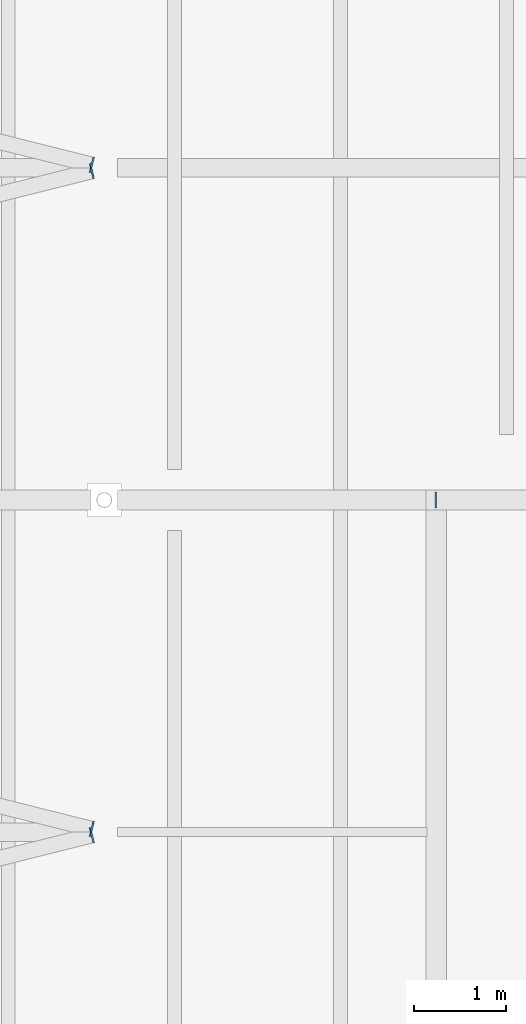
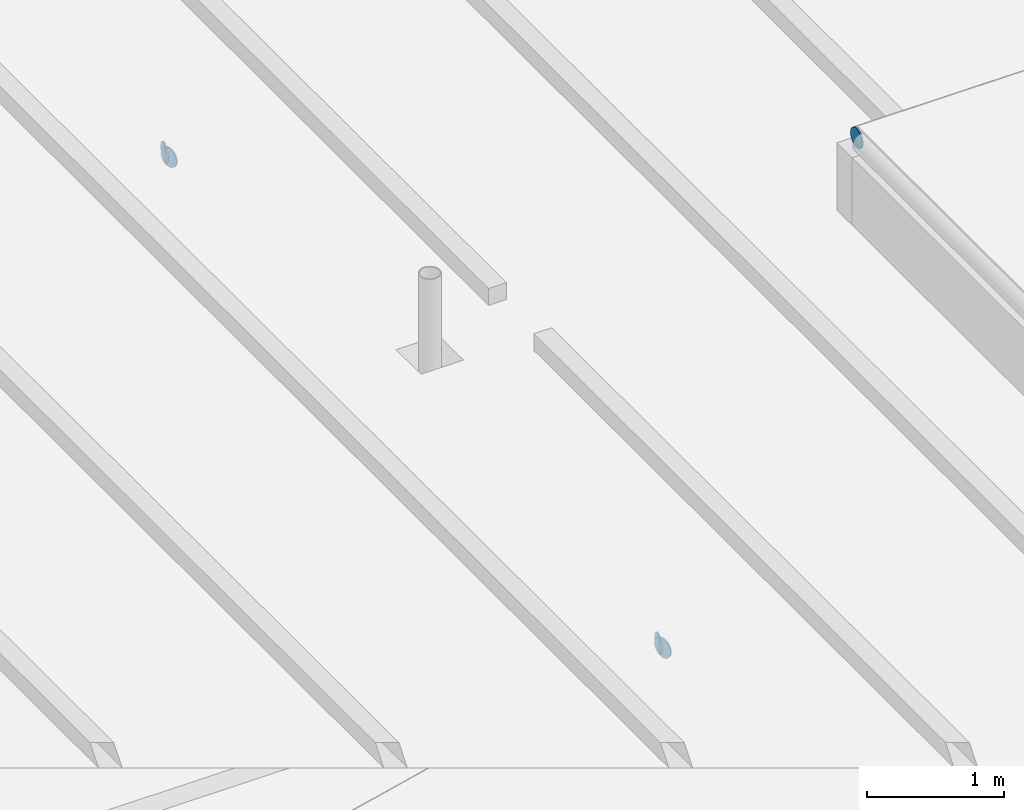
# One storey, part 76 of 120: 5 discrete accessories.
"""IFC4 building model written with IfcOpenShell, lengths in metres."""

from ifc_helpers import new_model, si_unit, direction, frame, origin, origin_2d, place, context, subcontext, project, spatial, circle, extrude, material, layer, layer_set, type_object, element, save


model = new_model("IFC4")

# Units and contexts
model_context = context("Model", 3, precision=1e-05, world=origin(), true_north=direction((0.0, 1.0)))
body_context = subcontext(model_context, "Body", "Model", "MODEL_VIEW")
ifc_project = project(units=[si_unit("LENGTHUNIT", "METRE"), si_unit("AREAUNIT", "SQUARE_METRE"), si_unit("VOLUMEUNIT", "CUBIC_METRE"), si_unit("PLANEANGLEUNIT", "RADIAN"), si_unit("MASSUNIT", "GRAM", prefix="KILO")], contexts=[model_context])

# Site, building, storey
site_placement = place(None, origin())
site = spatial("IfcSite", under=ifc_project, at=site_placement, CompositionType="ELEMENT")
building_placement = place(site_placement, origin())
building = spatial("IfcBuilding", under=site, at=building_placement, Name="Kupolbacken Congress Centre", CompositionType="ELEMENT")
storey_placement = place(building_placement, frame((0.0, 0.0, 21.60009765625)))
storey = spatial("IfcBuildingStorey", under=building, at=storey_placement, Name="L06", CompositionType="ELEMENT", Elevation=21.60009765625)

# Discrete accessories
ifc_material = material(Name="Steel S355", Category="steel")
ifc_layer = layer(ifc_material, 0.011962890625)
ifc_layer_set = layer_set([ifc_layer], Name="Steel S355")
discrete_accessory_type = type_object("IfcDiscreteAccessoryType", Name="EC2 tube end cap plate 168 dia x 12", PredefinedType="BRACKET", material=ifc_layer_set)
for number, where, z_axis, x_axis, name in (
    (1, (136.6591796875, 57.564697265625, -0.084228515625), (0.970142500145, 0.242535625036, 0.0), (-0.242535625036, 0.970142500145, 0.0), "End cap plate HR/RB/03-03 B"),
    (2, (136.6591796875, 57.63525390625, -0.084228515625), (0.970142500145, -0.242535625036, 0.0), (0.242535625036, 0.970142500145, 0.0), "End cap plate HR/RB/03-04 A"),
    (3, (136.6591796875, 64.764892578125, -0.084228515625), (0.974732318528, 0.223376156329, 0.0), (-0.223376156329, 0.974732318528, 0.0), "End cap plate HR/RB/03-05 B"),
    (4, (136.6591796875, 64.835205078125, -0.084228515625), (0.970142500145, -0.242535625036, 0.0), (0.242535625036, 0.970142500145, 0.0), "End cap plate HR/RB/03-06 A"),
    (5, (140.39990234375, 61.199951171875, 0.944091796875), (-1.0, 0.0, 0.0), (0.0, -1.0, 0.0), "End cap plate RD/RL4/FN A"),
):
    element("IfcDiscreteAccessory", number, at=place(storey_placement, frame(where, z_axis=z_axis, x_axis=x_axis)), inside=storey, type_object=discrete_accessory_type, Name=name, PredefinedType="BRACKET", context=body_context, shape_type="SweptSolid", body=[
        extrude(circle(Radius=0.084228515625, at=origin_2d()), origin(), (0.0, 0.0, 1.0), 0.011962890625),
    ])

save(model, "model.ifc")
